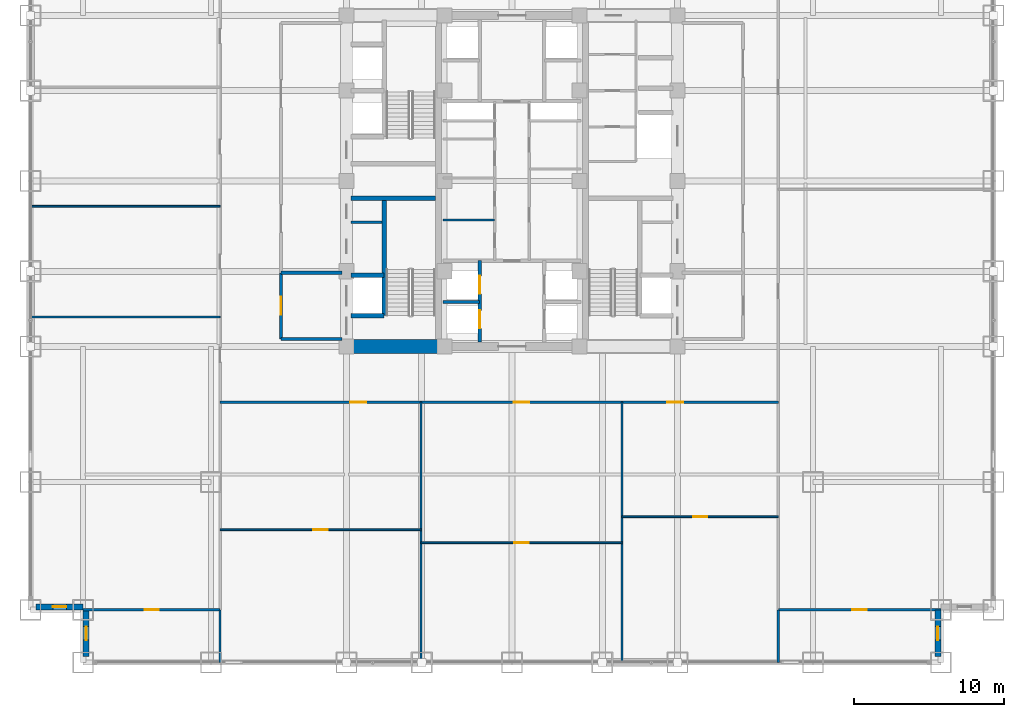
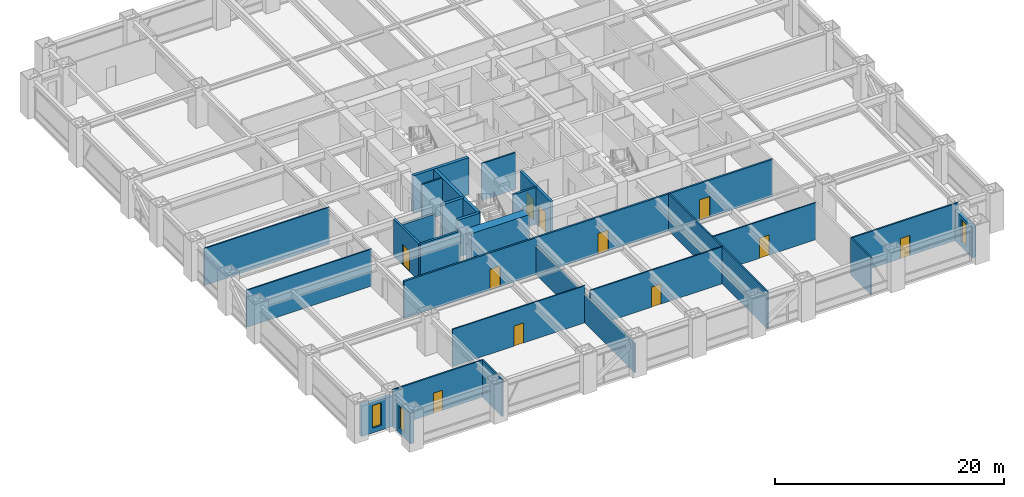
# One storey, part 23 of 28: 27 walls, 11 doors, 3 windows, 14 openings.
"""IFC4 building model written with IfcOpenShell, lengths in metres."""

from ifc_helpers import new_model, si_unit, direction, frame, frame_2d, origin, place, context, subcontext, project, spatial, rectangle, extrude, source, transform, mapped, material, layer, layer_set, type_object, element, fill, save


model = new_model("IFC4")

# Units and contexts
model_context = context("Model", 3, precision=1e-05, world=origin(), true_north=direction((0.0, 1.0)))
body_context = subcontext(model_context, "Body", "Model", "MODEL_VIEW")
ifc_project = project(units=[si_unit("LENGTHUNIT", "METRE"), si_unit("AREAUNIT", "SQUARE_METRE"), si_unit("VOLUMEUNIT", "CUBIC_METRE"), si_unit("PLANEANGLEUNIT", "RADIAN"), si_unit("MASSUNIT", "GRAM", prefix="KILO")], contexts=[model_context])

# Site, building, storey
site_placement = place(None, origin())
site = spatial("IfcSite", under=ifc_project, at=site_placement, CompositionType="ELEMENT")
building_placement = place(site_placement, origin())
building = spatial("IfcBuilding", under=site, at=building_placement, Name="Khorayat Bourse Tower", CompositionType="ELEMENT")
storey_placement = place(building_placement, frame((0.0, 0.0, 62.0)))
storey = spatial("IfcBuildingStorey", under=building, at=storey_placement, Name="L13", CompositionType="ELEMENT", Elevation=62.0)

# Walls
ifc_material_1 = material(Name="Concrete C72/90", Category="concrete")
ifc_layer_1 = layer(ifc_material_1, 0.89990234375)
ifc_layer_set_1 = layer_set([ifc_layer_1], Name="Concrete C72/90")
wall_type_1 = type_object("IfcWallType", Name="WAL-CORE-900", PredefinedType="SHEAR", material=ifc_layer_set_1)
shared_shape_1 = source(origin(), body_context, "Body", "SweptSolid", [
    extrude(rectangle(XDim=5.849853515625, YDim=0.89990234375, at=frame_2d((2.9248046875, 0.0))), origin(), (0.0, 0.0, 1.0), 3.93994140625),
])
wall_1_placement = place(storey_placement, frame((-10.699951171875, -11.0, 0.0), z_axis=(0.0, 0.0, 1.0), x_axis=(1.0, 0.0, 0.0)))
element("IfcWall", 1, at=wall_1_placement, inside=storey, type_object=wall_type_1, Name="L13 Core Shear Wall PIER-WS", PredefinedType="SHEAR", context=body_context, shape_type="MappedRepresentation", body=[
    mapped(shared_shape_1, transform((0.0, 0.0, 0.0), scale=1.0)),
])
ifc_material_2 = material(Name="Concrete C50/60", Category="concrete")
ifc_layer_2 = layer(ifc_material_2, 0.300048828125)
ifc_layer_set_2 = layer_set([ifc_layer_2], Name="Concrete C50/60")
wall_type_2 = type_object("IfcWallType", Name="WAL-SHAFT-300", PredefinedType="SHEAR", material=ifc_layer_set_2)
shared_shape_2 = source(origin(), body_context, "Body", "SweptSolid", [
    extrude(rectangle(XDim=5.599853515625, YDim=0.300048828125, at=frame_2d((2.7998046875, 0.0))), origin(), (0.0, 0.0, 1.0), 3.93994140625),
])
wall_2_placement = place(storey_placement, frame((-10.699951171875, -1.14990234375, 0.0), z_axis=(0.0, 0.0, 1.0), x_axis=(1.0, 0.0, 0.0)))
element("IfcWall", 2, at=wall_2_placement, inside=storey, type_object=wall_type_2, Name="L13 Core Shear Wall ST1-DIV", PredefinedType="SHEAR", context=body_context, shape_type="MappedRepresentation", body=[
    mapped(shared_shape_2, transform((0.0, 0.0, 0.0), scale=1.0)),
])

# Wall, opening, window
ifc_material_3 = material(Name="Precast concrete C45/55", Category="concrete")
ifc_layer_3 = layer(ifc_material_3, 0.3798828125)
ifc_layer_set_3 = layer_set([ifc_layer_3], Name="Precast concrete C45/55")
wall_type_3 = type_object("IfcWallType", Name="WAL-EXT-STONE-380", PredefinedType="STANDARD", material=ifc_layer_set_3)
shared_shape_3 = source(origin(), body_context, "Body", "SweptSolid", [
    extrude(rectangle(XDim=3.1201171875, YDim=0.3798828125, at=frame_2d((1.56005859375, 0.0))), origin(), (0.0, 0.0, 1.0), 3.2451171875),
])
wall_3_placement = place(storey_placement, frame((-28.5, -28.31005859375, 0.0), z_axis=(0.0, 0.0, 1.0), x_axis=(-1.0, 0.0, 0.0)))
wall_3 = element("IfcWall", 3, at=wall_3_placement, inside=storey, type_object=wall_type_3, Name="L13 Re-Entrant Notch Limestone Wall SW-H", PredefinedType="STANDARD", context=body_context, shape_type="MappedRepresentation", body=[
    mapped(shared_shape_3, transform((0.0, 0.0, 0.0), scale=1.0)),
])
shared_shape_4 = source(origin(), body_context, "Body", "SweptSolid", [
    extrude(rectangle(XDim=0.89990234375, YDim=2.39990234375, at=frame_2d((0.449951171875, 1.199951171875))), frame((0.0, 0.199951171875, 0.0), z_axis=(0.0, -1.0, 0.0), x_axis=(1.0, 0.0, 0.0)), (0.0, 0.0, 1.0), 0.39990234375),
])
opening_1_placement = place(wall_3_placement, frame((1.110107421875, 0.0, 0.5)))
opening_1 = element("IfcOpeningElement", 4, at=opening_1_placement, cuts=wall_3, Name="Opening WN-03", PredefinedType="OPENING", context=body_context, shape_type="MappedRepresentation", body=[
    mapped(shared_shape_4, transform((0.0, 0.0, 0.0), scale=1.0)),
])
ifc_material_4 = material(Name="Deep-reveal solar-control double glazing", Category="glass")
window_type = type_object("IfcWindowType", Name="WIN-SLOT-900x2400", PartitioningType="SINGLE_PANEL", PredefinedType="WINDOW", material=ifc_material_4)
shared_shape_5 = source(origin(), body_context, "Body", "SweptSolid", [
    extrude(rectangle(XDim=0.89990234375, YDim=2.39990234375, at=frame_2d((0.449951171875, 1.199951171875))), frame((0.0, 0.030029296875, 0.0), z_axis=(0.0, -1.0, 0.0), x_axis=(1.0, 0.0, 0.0)), (0.0, 0.0, 1.0), 0.06005859375),
])
window_1_placement = place(opening_1_placement, origin())
window_1 = element("IfcWindow", 5, at=window_1_placement, inside=storey, type_object=window_type, Name="L13 Facade Window 1", OverallHeight=2.39990234375, OverallWidth=0.89990234375, PartitioningType="SINGLE_PANEL", PredefinedType="WINDOW", context=body_context, shape_type="MappedRepresentation", body=[
    mapped(shared_shape_5, transform((0.0, 0.0, 0.0), scale=1.0)),
])
fill(opening_1, window_1)

wall_4_placement = place(storey_placement, frame((-28.31005859375, -31.6201171875, 0.0), z_axis=(0.0, 0.0, 1.0), x_axis=(0.0, 1.0, 0.0)))
wall_4 = element("IfcWall", 6, at=wall_4_placement, inside=storey, type_object=wall_type_3, Name="L13 Re-Entrant Notch Limestone Wall SW-V", PredefinedType="STANDARD", context=body_context, shape_type="MappedRepresentation", body=[
    mapped(shared_shape_3, transform((0.0, 0.0, 0.0), scale=1.0)),
])
opening_2_placement = place(wall_4_placement, frame((1.110107421875, 0.0, 0.5)))
opening_2 = element("IfcOpeningElement", 7, at=opening_2_placement, cuts=wall_4, Name="Opening WN-03", PredefinedType="OPENING", context=body_context, shape_type="MappedRepresentation", body=[
    mapped(shared_shape_4, transform((0.0, 0.0, 0.0), scale=1.0)),
])
window_2_placement = place(opening_2_placement, origin())
window_2 = element("IfcWindow", 8, at=window_2_placement, inside=storey, type_object=window_type, Name="L13 Facade Window 1", OverallHeight=2.39990234375, OverallWidth=0.89990234375, PartitioningType="SINGLE_PANEL", PredefinedType="WINDOW", context=body_context, shape_type="MappedRepresentation", body=[
    mapped(shared_shape_5, transform((0.0, 0.0, 0.0), scale=1.0)),
])
fill(opening_2, window_2)

wall_5_placement = place(storey_placement, frame((28.31005859375, -31.6201171875, 0.0), z_axis=(0.0, 0.0, 1.0), x_axis=(0.0, 1.0, 0.0)))
wall_5 = element("IfcWall", 9, at=wall_5_placement, inside=storey, type_object=wall_type_3, Name="L13 Re-Entrant Notch Limestone Wall SE-V", PredefinedType="STANDARD", context=body_context, shape_type="MappedRepresentation", body=[
    mapped(shared_shape_3, transform((0.0, 0.0, 0.0), scale=1.0)),
])
opening_3_placement = place(wall_5_placement, frame((1.110107421875, 0.0, 0.5)))
opening_3 = element("IfcOpeningElement", 10, at=opening_3_placement, cuts=wall_5, Name="Opening WN-03", PredefinedType="OPENING", context=body_context, shape_type="MappedRepresentation", body=[
    mapped(shared_shape_4, transform((0.0, 0.0, 0.0), scale=1.0)),
])
window_3_placement = place(opening_3_placement, origin())
window_3 = element("IfcWindow", 11, at=window_3_placement, inside=storey, type_object=window_type, Name="L13 Facade Window 1", OverallHeight=2.39990234375, OverallWidth=0.89990234375, PartitioningType="SINGLE_PANEL", PredefinedType="WINDOW", context=body_context, shape_type="MappedRepresentation", body=[
    mapped(shared_shape_5, transform((0.0, 0.0, 0.0), scale=1.0)),
])
fill(opening_3, window_3)

# Walls
shared_shape_6 = source(origin(), body_context, "Body", "SweptSolid", [
    extrude(rectangle(XDim=7.800048828125, YDim=0.300048828125, at=frame_2d((3.89990234375, 0.0))), origin(), (0.0, 0.0, 1.0), 3.93994140625),
])
wall_6_placement = place(storey_placement, frame((-8.5, -8.949951171875, 0.0), z_axis=(0.0, 0.0, 1.0), x_axis=(0.0, 1.0, 0.0)))
element("IfcWall", 12, at=wall_6_placement, inside=storey, type_object=wall_type_2, Name="L13 Partition WAL-L13-WPIER-SP", PredefinedType="SHEAR", context=body_context, shape_type="MappedRepresentation", body=[
    mapped(shared_shape_6, transform((0.0, 0.0, 0.0), scale=1.0)),
])
shared_shape_7 = source(origin(), body_context, "Body", "SweptSolid", [
    extrude(rectangle(XDim=2.199951171875, YDim=0.300048828125, at=frame_2d((1.10009765625, 0.0))), origin(), (0.0, 0.0, 1.0), 3.93994140625),
])
for number, where, z_axis, x_axis, name in (
    (13, (-10.699951171875, -8.949951171875, 0.0), (0.0, 0.0, 1.0), (1.0, 0.0, 0.0), "L13 Partition WAL-L13-WPIER-FF1S"),
    (14, (-10.699951171875, -6.25, 0.0), (0.0, 0.0, 1.0), (1.0, 0.0, 0.0), "L13 Partition WAL-L13-WPIER-FF1N"),
):
    element("IfcWall", number, at=place(storey_placement, frame(where, z_axis=z_axis, x_axis=x_axis)), inside=storey, type_object=wall_type_2, Name=name, PredefinedType="SHEAR", context=body_context, shape_type="MappedRepresentation", body=[
        mapped(shared_shape_7, transform((0.0, 0.0, 0.0), scale=1.0)),
    ])
ifc_material_5 = material(Name="Gypsum plasterboard twin-frame partition")
ifc_layer_4 = layer(ifc_material_5, 0.14990234375)
ifc_layer_set_4 = layer_set([ifc_layer_4], Name="Gypsum plasterboard twin-frame partition")
wall_type_4 = type_object("IfcWallType", Name="WAL-PART-SUITE-150", PredefinedType="PARTITIONING", material=ifc_layer_set_4)
shared_shape_8 = source(origin(), body_context, "Body", "SweptSolid", [
    extrude(rectangle(XDim=2.050048828125, YDim=0.14990234375, at=frame_2d((1.02490234375, 0.0))), origin(), (0.0, 0.0, 1.0), 3.93994140625),
])
wall_7_placement = place(storey_placement, frame((-10.699951171875, -2.75, 0.0), z_axis=(0.0, 0.0, 1.0), x_axis=(1.0, 0.0, 0.0)))
element("IfcWall", 15, at=wall_7_placement, inside=storey, type_object=wall_type_4, Name="L13 Partition WAL-L13-WSRV-D1", PredefinedType="PARTITIONING", context=body_context, shape_type="MappedRepresentation", body=[
    mapped(shared_shape_8, transform((0.0, 0.0, 0.0), scale=1.0)),
])
ifc_material_6 = material(Name="Aerated concrete blockwork", Category="masonry")
ifc_layer_5 = layer(ifc_material_6, 0.219970703125)
ifc_layer_set_5 = layer_set([ifc_layer_5], Name="Aerated concrete blockwork")
wall_type_5 = type_object("IfcWallType", Name="WAL-PART-FF-220", PredefinedType="PARTITIONING", material=ifc_layer_set_5)
shared_shape_9 = source(origin(), body_context, "Body", "SweptSolid", [
    extrude(rectangle(XDim=4.050048828125, YDim=0.219970703125, at=frame_2d((2.02490234375, 0.0))), origin(), (0.0, 0.0, 1.0), 3.93994140625),
])
wall_8_placement = place(storey_placement, frame((-15.35009765625, -10.5, 0.0), z_axis=(0.0, 0.0, 1.0), x_axis=(1.0, 0.0, 0.0)))
element("IfcWall", 16, at=wall_8_placement, inside=storey, type_object=wall_type_5, Name="L13 Partition WAL-L13-FFLW-S", PredefinedType="PARTITIONING", context=body_context, shape_type="MappedRepresentation", body=[
    mapped(shared_shape_9, transform((0.0, 0.0, 0.0), scale=1.0)),
])
shared_shape_10 = source(origin(), body_context, "Body", "SweptSolid", [
    extrude(rectangle(XDim=4.050048828125, YDim=0.219970703125, at=frame_2d((2.02490234375, 0.0))), origin(), (0.0, 0.0, 1.0), 3.0849609375),
])
wall_9_placement = place(storey_placement, frame((-15.35009765625, -6.10009765625, 0.0), z_axis=(0.0, 0.0, 1.0), x_axis=(1.0, 0.0, 0.0)))
element("IfcWall", 17, at=wall_9_placement, inside=storey, type_object=wall_type_5, Name="L13 Partition WAL-L13-FFLW-N", PredefinedType="PARTITIONING", context=body_context, shape_type="MappedRepresentation", body=[
    mapped(shared_shape_10, transform((0.0, 0.0, 0.0), scale=1.0)),
])

# Wall, opening, door
shared_shape_11 = source(origin(), body_context, "Body", "SweptSolid", [
    extrude(rectangle(XDim=4.39990234375, YDim=0.219970703125, at=frame_2d((2.199951171875, 0.0))), origin(), (0.0, 0.0, 1.0), 3.93994140625),
])
wall_10_placement = place(storey_placement, frame((-15.35009765625, -10.5, 0.0), z_axis=(0.0, 0.0, 1.0), x_axis=(0.0, 1.0, 0.0)))
wall_10 = element("IfcWall", 18, at=wall_10_placement, inside=storey, type_object=wall_type_5, Name="L13 Partition WAL-L13-FFLW-W", PredefinedType="PARTITIONING", context=body_context, shape_type="MappedRepresentation", body=[
    mapped(shared_shape_11, transform((0.0, 0.0, 0.0), scale=1.0)),
])
shared_shape_12 = source(origin(), body_context, "Body", "SweptSolid", [
    extrude(rectangle(XDim=1.199951171875, YDim=2.199951171875, at=frame_2d((0.60009765625, 1.10009765625))), frame((0.0, 0.119873046875, 0.0), z_axis=(0.0, -1.0, 0.0), x_axis=(1.0, 0.0, 0.0)), (0.0, 0.0, 1.0), 0.239990234375),
])
opening_4_placement = place(wall_10_placement, frame((1.60009765625, 0.0, 0.0)))
opening_4 = element("IfcOpeningElement", 19, at=opening_4_placement, cuts=wall_10, Name="Opening DI-02", PredefinedType="OPENING", context=body_context, shape_type="MappedRepresentation", body=[
    mapped(shared_shape_12, transform((0.0, 0.0, 0.0), scale=1.0)),
])
ifc_material_7 = material(Name="Fire-rated steel double-seal leaf", Category="steel")
door_type_1 = type_object("IfcDoorType", Name="DR-INT-FFLOBBY-1200", OperationType="NOTDEFINED", PredefinedType="DOOR", material=ifc_material_7)
shared_shape_13 = source(origin(), body_context, "Body", "SweptSolid", [
    extrude(rectangle(XDim=1.199951171875, YDim=2.199951171875, at=frame_2d((0.60009765625, 1.10009765625))), frame((0.0, 0.02490234375, 0.0), z_axis=(0.0, -1.0, 0.0), x_axis=(1.0, 0.0, 0.0)), (0.0, 0.0, 1.0), 0.050048828125),
])
door_1_placement = place(opening_4_placement, origin())
door_1 = element("IfcDoor", 20, at=door_1_placement, inside=storey, type_object=door_type_1, Name="L13 West Firefighting Lobby Door", OperationType="SINGLE_SWING_LEFT", OverallHeight=2.199951171875, OverallWidth=1.199951171875, PredefinedType="DOOR", context=body_context, shape_type="MappedRepresentation", body=[
    mapped(shared_shape_13, transform((0.0, 0.0, 0.0), scale=1.0)),
])
fill(opening_4, door_1)

# Wall, openings, doors
shared_shape_14 = source(origin(), body_context, "Body", "SweptSolid", [
    extrude(rectangle(XDim=5.39990234375, YDim=0.25, at=frame_2d((2.699951171875, 0.0))), origin(), (0.0, 0.0, 1.0), 3.93994140625),
])
wall_11_placement = place(storey_placement, frame((-2.14990234375, -10.699951171875, 0.0), z_axis=(0.0, 0.0, 1.0), x_axis=(0.0, 1.0, 0.0)))
wall_11 = element("IfcWall", 21, at=wall_11_placement, inside=storey, type_object=wall_type_2, Name="L13 Partition WAL-L13-B1-W", PredefinedType="SHEAR", context=body_context, shape_type="MappedRepresentation", body=[
    mapped(shared_shape_14, transform((0.0, 0.0, 0.0), scale=1.0)),
])
shared_shape_15 = source(origin(), body_context, "Body", "SweptSolid", [
    extrude(rectangle(XDim=1.199951171875, YDim=2.300048828125, at=frame_2d((0.60009765625, 1.14990234375))), frame((0.0, 0.135009765625, 0.0), z_axis=(0.0, -1.0, 0.0), x_axis=(1.0, 0.0, 0.0)), (0.0, 0.0, 1.0), 0.27001953125),
])
opening_5_placement = place(wall_11_placement, frame((0.89990234375, 0.0, 0.0)))
opening_5 = element("IfcOpeningElement", 22, at=opening_5_placement, cuts=wall_11, Name="Opening LD-01", PredefinedType="OPENING", context=body_context, shape_type="MappedRepresentation", body=[
    mapped(shared_shape_15, transform((0.0, 0.0, 0.0), scale=1.0)),
])
opening_6_placement = place(wall_11_placement, frame((3.199951171875, 0.0, 0.0)))
opening_6 = element("IfcOpeningElement", 23, at=opening_6_placement, cuts=wall_11, Name="Opening LD-01", PredefinedType="OPENING", context=body_context, shape_type="MappedRepresentation", body=[
    mapped(shared_shape_15, transform((0.0, 0.0, 0.0), scale=1.0)),
])
ifc_material_8 = material(Name="Brushed bronze stainless-steel sliding door", Category="steel")
door_type_2 = type_object("IfcDoorType", Name="DR-LIFT-PASS-1200", OperationType="NOTDEFINED", PredefinedType="DOOR", material=ifc_material_8)
shared_shape_16 = source(origin(), body_context, "Body", "SweptSolid", [
    extrude(rectangle(XDim=1.199951171875, YDim=2.300048828125, at=frame_2d((0.60009765625, 1.14990234375))), frame((0.0, 0.02490234375, 0.0), z_axis=(0.0, -1.0, 0.0), x_axis=(1.0, 0.0, 0.0)), (0.0, 0.0, 1.0), 0.050048828125),
])
door_2_placement = place(opening_5_placement, origin())
door_2 = element("IfcDoor", 24, at=door_2_placement, inside=storey, type_object=door_type_2, Name="L13 Lift PL-L1 Sliding Landing Door", OperationType="SLIDING_TO_LEFT", OverallHeight=2.300048828125, OverallWidth=1.199951171875, PredefinedType="DOOR", context=body_context, shape_type="MappedRepresentation", body=[
    mapped(shared_shape_16, transform((0.0, 0.0, 0.0), scale=1.0)),
])
fill(opening_5, door_2)
door_3_placement = place(opening_6_placement, origin())
door_3 = element("IfcDoor", 25, at=door_3_placement, inside=storey, type_object=door_type_2, Name="L13 Lift PL-L3 Sliding Landing Door", OperationType="SLIDING_TO_LEFT", OverallHeight=2.300048828125, OverallWidth=1.199951171875, PredefinedType="DOOR", context=body_context, shape_type="MappedRepresentation", body=[
    mapped(shared_shape_16, transform((0.0, 0.0, 0.0), scale=1.0)),
])
fill(opening_6, door_3)

# Walls
shared_shape_17 = source(origin(), body_context, "Body", "SweptSolid", [
    extrude(rectangle(XDim=2.4501953125, YDim=0.199951171875, at=frame_2d((1.22509765625, 0.0))), origin(), (0.0, 0.0, 1.0), 3.93994140625),
])
wall_12_placement = place(storey_placement, frame((-4.60009765625, -8.050048828125, 0.0), z_axis=(0.0, 0.0, 1.0), x_axis=(1.0, 0.0, 0.0)))
element("IfcWall", 26, at=wall_12_placement, inside=storey, type_object=wall_type_2, Name="L13 Partition WAL-L13-B1-MW", PredefinedType="SHEAR", context=body_context, shape_type="MappedRepresentation", body=[
    mapped(shared_shape_17, transform((0.0, 0.0, 0.0), scale=1.0)),
])
ifc_material_9 = material(Name="Moisture-resistant masonry partition", Category="masonry")
ifc_layer_6 = layer(ifc_material_9, 0.139892578125)
ifc_layer_set_6 = layer_set([ifc_layer_6], Name="Moisture-resistant masonry partition")
wall_type_6 = type_object("IfcWallType", Name="WAL-PART-WET-140", PredefinedType="PARTITIONING", material=ifc_layer_set_6)
shared_shape_18 = source(origin(), body_context, "Body", "SweptSolid", [
    extrude(rectangle(XDim=3.4501953125, YDim=0.139892578125, at=frame_2d((1.72509765625, 0.0))), origin(), (0.0, 0.0, 1.0), 3.93994140625),
])
wall_13_placement = place(storey_placement, frame((-4.60009765625, -2.60009765625, 0.0), z_axis=(0.0, 0.0, 1.0), x_axis=(1.0, 0.0, 0.0)))
element("IfcWall", 27, at=wall_13_placement, inside=storey, type_object=wall_type_6, Name="L13 Partition WAL-L13-CMW-D1", PredefinedType="PARTITIONING", context=body_context, shape_type="MappedRepresentation", body=[
    mapped(shared_shape_18, transform((0.0, 0.0, 0.0), scale=1.0)),
])
shared_shape_19 = source(origin(), body_context, "Body", "SweptSolid", [
    extrude(rectangle(XDim=3.5, YDim=0.14990234375, at=frame_2d((1.75, 0.0))), origin(), (0.0, 0.0, 1.0), 3.93994140625),
])
for number, where, z_axis, x_axis, name in (
    (28, (-19.39990234375, -32.0, 0.0), (0.0, 0.0, 1.0), (0.0, 1.0, 0.0), "L13 Partition WAL-L13-SCW-END"),
    (29, (17.699951171875, -32.0, 0.0), (0.0, 0.0, 1.0), (0.0, 1.0, 0.0), "L13 Partition WAL-L13-SCE-END"),
):
    element("IfcWall", number, at=place(storey_placement, frame(where, z_axis=z_axis, x_axis=x_axis)), inside=storey, type_object=wall_type_4, Name=name, PredefinedType="PARTITIONING", context=body_context, shape_type="MappedRepresentation", body=[
        mapped(shared_shape_19, transform((0.0, 0.0, 0.0), scale=1.0)),
    ])

# Wall, opening, door
shared_shape_20 = source(origin(), body_context, "Body", "SweptSolid", [
    extrude(rectangle(XDim=10.800048828125, YDim=0.14990234375, at=frame_2d((5.39990234375, 0.0))), origin(), (0.0, 0.0, 1.0), 3.93994140625),
])
wall_14_placement = place(storey_placement, frame((17.699951171875, -28.5, 0.0), z_axis=(0.0, 0.0, 1.0), x_axis=(1.0, 0.0, 0.0)))
wall_14 = element("IfcWall", 30, at=wall_14_placement, inside=storey, type_object=wall_type_4, Name="L13 Partition WAL-L13-CSE", PredefinedType="PARTITIONING", context=body_context, shape_type="MappedRepresentation", body=[
    mapped(shared_shape_20, transform((0.0, 0.0, 0.0), scale=1.0)),
])
shared_shape_21 = source(origin(), body_context, "Body", "SweptSolid", [
    extrude(rectangle(XDim=0.949951171875, YDim=2.14990234375, at=frame_2d((0.47509765625, 1.074951171875))), frame((0.0, 0.0849609375, 0.0), z_axis=(0.0, -1.0, 0.0), x_axis=(1.0, 0.0, 0.0)), (0.0, 0.0, 1.0), 0.169921875),
])
opening_7_placement = place(wall_14_placement, frame((4.925048828125, 0.0, 0.0)))
opening_7 = element("IfcOpeningElement", 31, at=opening_7_placement, cuts=wall_14, Name="Opening DI-05", PredefinedType="OPENING", context=body_context, shape_type="MappedRepresentation", body=[
    mapped(shared_shape_21, transform((0.0, 0.0, 0.0), scale=1.0)),
])
ifc_material_10 = material(Name="Acoustic oak veneer office door")
door_type_3 = type_object("IfcDoorType", Name="DR-INT-OFFICE-950", OperationType="NOTDEFINED", PredefinedType="DOOR", material=ifc_material_10)
shared_shape_22 = source(origin(), body_context, "Body", "SweptSolid", [
    extrude(rectangle(XDim=0.949951171875, YDim=2.14990234375, at=frame_2d((0.47509765625, 1.074951171875))), frame((0.0, 0.02490234375, 0.0), z_axis=(0.0, -1.0, 0.0), x_axis=(1.0, 0.0, 0.0)), (0.0, 0.0, 1.0), 0.050048828125),
])
door_4_placement = place(opening_7_placement, origin())
door_4 = element("IfcDoor", 32, at=door_4_placement, inside=storey, type_object=door_type_3, Name="L13 South-East Corner Briefing Room Door", OperationType="SINGLE_SWING_LEFT", OverallHeight=2.14990234375, OverallWidth=0.949951171875, PredefinedType="DOOR", context=body_context, shape_type="MappedRepresentation", body=[
    mapped(shared_shape_22, transform((0.0, 0.0, 0.0), scale=1.0)),
])
fill(opening_7, door_4)

shared_shape_23 = source(origin(), body_context, "Body", "SweptSolid", [
    extrude(rectangle(XDim=9.10009765625, YDim=0.14990234375, at=frame_2d((4.550048828125, 0.0))), origin(), (0.0, 0.0, 1.0), 3.93994140625),
])
wall_15_placement = place(storey_placement, frame((-28.5, -28.5, 0.0), z_axis=(0.0, 0.0, 1.0), x_axis=(1.0, 0.0, 0.0)))
wall_15 = element("IfcWall", 33, at=wall_15_placement, inside=storey, type_object=wall_type_4, Name="L13 Partition WAL-L13-CSW", PredefinedType="PARTITIONING", context=body_context, shape_type="MappedRepresentation", body=[
    mapped(shared_shape_23, transform((0.0, 0.0, 0.0), scale=1.0)),
])
opening_8_placement = place(wall_15_placement, frame((4.074951171875, 0.0, 0.0)))
opening_8 = element("IfcOpeningElement", 34, at=opening_8_placement, cuts=wall_15, Name="Opening DI-05", PredefinedType="OPENING", context=body_context, shape_type="MappedRepresentation", body=[
    mapped(shared_shape_21, transform((0.0, 0.0, 0.0), scale=1.0)),
])
door_5_placement = place(opening_8_placement, origin())
door_5 = element("IfcDoor", 35, at=door_5_placement, inside=storey, type_object=door_type_3, Name="L13 South-West Corner Office Door", OperationType="SINGLE_SWING_LEFT", OverallHeight=2.14990234375, OverallWidth=0.949951171875, PredefinedType="DOOR", context=body_context, shape_type="MappedRepresentation", body=[
    mapped(shared_shape_22, transform((0.0, 0.0, 0.0), scale=1.0)),
])
fill(opening_8, door_5)

ifc_material_11 = material(Name="Gypsum plasterboard partition")
ifc_layer_7 = layer(ifc_material_11, 0.125)
ifc_layer_set_7 = layer_set([ifc_layer_7], Name="Gypsum plasterboard partition")
wall_type_7 = type_object("IfcWallType", Name="WAL-PART-ROOM-125", PredefinedType="PARTITIONING", material=ifc_layer_set_7)
shared_shape_24 = source(origin(), body_context, "Body", "SweptSolid", [
    extrude(rectangle(XDim=13.35595703125, YDim=0.125, at=frame_2d((6.677978515625, 0.0))), origin(), (0.0, 0.0, 1.0), 3.93994140625),
])
wall_16_placement = place(storey_placement, frame((-19.39990234375, -23.177001953125, 0.0), z_axis=(0.0, 0.0, 1.0), x_axis=(1.0, 0.0, 0.0)))
wall_16 = element("IfcWall", 36, at=wall_16_placement, inside=storey, type_object=wall_type_7, Name="L13 Partition WAL-L13-SDP-1", PredefinedType="PARTITIONING", context=body_context, shape_type="MappedRepresentation", body=[
    mapped(shared_shape_24, transform((0.0, 0.0, 0.0), scale=1.0)),
])
shared_shape_25 = source(origin(), body_context, "Body", "SweptSolid", [
    extrude(rectangle(XDim=0.949951171875, YDim=2.14990234375, at=frame_2d((0.47509765625, 1.074951171875))), frame((0.0, 0.072509765625, 0.0), z_axis=(0.0, -1.0, 0.0), x_axis=(1.0, 0.0, 0.0)), (0.0, 0.0, 1.0), 0.14501953125),
])
opening_9_placement = place(wall_16_placement, frame((6.202880859375, 0.0, 0.0)))
opening_9 = element("IfcOpeningElement", 37, at=opening_9_placement, cuts=wall_16, Name="Opening DI-05", PredefinedType="OPENING", context=body_context, shape_type="MappedRepresentation", body=[
    mapped(shared_shape_25, transform((0.0, 0.0, 0.0), scale=1.0)),
])
door_6_placement = place(opening_9_placement, origin())
door_6 = element("IfcDoor", 38, at=door_6_placement, inside=storey, type_object=door_type_3, Name="L13 Members Dining Room S1B Door", OperationType="SINGLE_SWING_RIGHT", OverallHeight=2.14990234375, OverallWidth=0.949951171875, PredefinedType="DOOR", context=body_context, shape_type="MappedRepresentation", body=[
    mapped(shared_shape_22, transform((0.0, 0.0, 0.0), scale=1.0)),
])
fill(opening_9, door_6)

wall_17_placement = place(storey_placement, frame((-6.0439453125, -24.0419921875, 0.0), z_axis=(0.0, 0.0, 1.0), x_axis=(1.0, 0.0, 0.0)))
wall_17 = element("IfcWall", 39, at=wall_17_placement, inside=storey, type_object=wall_type_7, Name="L13 Partition WAL-L13-SDP-2", PredefinedType="PARTITIONING", context=body_context, shape_type="MappedRepresentation", body=[
    mapped(shared_shape_24, transform((0.0, 0.0, 0.0), scale=1.0)),
])
opening_10_placement = place(wall_17_placement, frame((6.202880859375, 0.0, 0.0)))
opening_10 = element("IfcOpeningElement", 40, at=opening_10_placement, cuts=wall_17, Name="Opening DI-05", PredefinedType="OPENING", context=body_context, shape_type="MappedRepresentation", body=[
    mapped(shared_shape_25, transform((0.0, 0.0, 0.0), scale=1.0)),
])
door_7_placement = place(opening_10_placement, origin())
door_7 = element("IfcDoor", 41, at=door_7_placement, inside=storey, type_object=door_type_3, Name="L13 Members Club Room S2B Door", OperationType="SINGLE_SWING_LEFT", OverallHeight=2.14990234375, OverallWidth=0.949951171875, PredefinedType="DOOR", context=body_context, shape_type="MappedRepresentation", body=[
    mapped(shared_shape_22, transform((0.0, 0.0, 0.0), scale=1.0)),
])
fill(opening_10, door_7)

# Walls
shared_shape_26 = source(origin(), body_context, "Body", "SweptSolid", [
    extrude(rectangle(XDim=17.300048828125, YDim=0.14990234375, at=frame_2d((8.64990234375, 0.0))), origin(), (0.0, 0.0, 1.0), 3.0849609375),
])
wall_18_placement = place(storey_placement, frame((-6.0439453125, -32.0, 0.0), z_axis=(0.0, 0.0, 1.0), x_axis=(0.0, 1.0, 0.0)))
element("IfcWall", 42, at=wall_18_placement, inside=storey, type_object=wall_type_4, Name="L13 Partition WAL-L13-SDV-1", PredefinedType="PARTITIONING", context=body_context, shape_type="MappedRepresentation", body=[
    mapped(shared_shape_26, transform((0.0, 0.0, 0.0), scale=1.0)),
])
shared_shape_27 = source(origin(), body_context, "Body", "SweptSolid", [
    extrude(rectangle(XDim=17.300048828125, YDim=0.14990234375, at=frame_2d((8.64990234375, 0.0))), origin(), (0.0, 0.0, 1.0), 3.93994140625),
])
wall_19_placement = place(storey_placement, frame((7.31201171875, -32.0, 0.0), z_axis=(0.0, 0.0, 1.0), x_axis=(0.0, 1.0, 0.0)))
element("IfcWall", 43, at=wall_19_placement, inside=storey, type_object=wall_type_4, Name="L13 Partition WAL-L13-SDV-2", PredefinedType="PARTITIONING", context=body_context, shape_type="MappedRepresentation", body=[
    mapped(shared_shape_27, transform((0.0, 0.0, 0.0), scale=1.0)),
])

# Wall, opening, door
shared_shape_28 = source(origin(), body_context, "Body", "SweptSolid", [
    extrude(rectangle(XDim=10.387939453125, YDim=0.125, at=frame_2d((5.19384765625, 0.0))), origin(), (0.0, 0.0, 1.0), 3.93994140625),
])
wall_20_placement = place(storey_placement, frame((7.31201171875, -22.31201171875, 0.0), z_axis=(0.0, 0.0, 1.0), x_axis=(1.0, 0.0, 0.0)))
wall_20 = element("IfcWall", 44, at=wall_20_placement, inside=storey, type_object=wall_type_7, Name="L13 Partition WAL-L13-SDP-3", PredefinedType="PARTITIONING", context=body_context, shape_type="MappedRepresentation", body=[
    mapped(shared_shape_28, transform((0.0, 0.0, 0.0), scale=1.0)),
])
opening_11_placement = place(wall_20_placement, frame((4.718994140625, 0.0, 0.0)))
opening_11 = element("IfcOpeningElement", 45, at=opening_11_placement, cuts=wall_20, Name="Opening DI-05", PredefinedType="OPENING", context=body_context, shape_type="MappedRepresentation", body=[
    mapped(shared_shape_25, transform((0.0, 0.0, 0.0), scale=1.0)),
])
door_8_placement = place(opening_11_placement, origin())
door_8 = element("IfcDoor", 46, at=door_8_placement, inside=storey, type_object=door_type_3, Name="L13 Issuer Listing Showroom S3B Door", OperationType="SINGLE_SWING_RIGHT", OverallHeight=2.14990234375, OverallWidth=0.949951171875, PredefinedType="DOOR", context=body_context, shape_type="MappedRepresentation", body=[
    mapped(shared_shape_22, transform((0.0, 0.0, 0.0), scale=1.0)),
])
fill(opening_11, door_8)

# Wall, openings, doors
ifc_material_12 = material(Name="Gypsum plasterboard acoustic stud wall")
ifc_layer_8 = layer(ifc_material_12, 0.179931640625)
ifc_layer_set_8 = layer_set([ifc_layer_8], Name="Gypsum plasterboard acoustic stud wall")
wall_type_8 = type_object("IfcWallType", Name="WAL-PART-CORR-180", PredefinedType="PARTITIONING", material=ifc_layer_set_8)
shared_shape_29 = source(origin(), body_context, "Body", "SweptSolid", [
    extrude(rectangle(XDim=37.099853515625, YDim=0.179931640625, at=frame_2d((18.5498046875, 0.0))), origin(), (0.0, 0.0, 1.0), 3.93994140625),
])
wall_21_placement = place(storey_placement, frame((-19.39990234375, -14.699951171875, 0.0), z_axis=(0.0, 0.0, 1.0), x_axis=(1.0, 0.0, 0.0)))
wall_21 = element("IfcWall", 47, at=wall_21_placement, inside=storey, type_object=wall_type_8, Name="L13 Partition WAL-L13-SCORR", PredefinedType="PARTITIONING", context=body_context, shape_type="MappedRepresentation", body=[
    mapped(shared_shape_29, transform((0.0, 0.0, 0.0), scale=1.0)),
])
shared_shape_30 = source(origin(), body_context, "Body", "SweptSolid", [
    extrude(rectangle(XDim=1.050048828125, YDim=2.199951171875, at=frame_2d((0.52490234375, 1.10009765625))), frame((0.0, 0.099853515625, 0.0), z_axis=(0.0, -1.0, 0.0), x_axis=(1.0, 0.0, 0.0)), (0.0, 0.0, 1.0), 0.199951171875),
])
opening_12_placement = place(wall_21_placement, frame((8.653076171875, 0.0, 0.0)))
opening_12 = element("IfcOpeningElement", 48, at=opening_12_placement, cuts=wall_21, Name="Opening DI-04", PredefinedType="OPENING", context=body_context, shape_type="MappedRepresentation", body=[
    mapped(shared_shape_30, transform((0.0, 0.0, 0.0), scale=1.0)),
])
opening_13_placement = place(wall_21_placement, frame((19.509033203125, 0.0, 0.0)))
opening_13 = element("IfcOpeningElement", 49, at=opening_13_placement, cuts=wall_21, Name="Opening DI-04", PredefinedType="OPENING", context=body_context, shape_type="MappedRepresentation", body=[
    mapped(shared_shape_30, transform((0.0, 0.0, 0.0), scale=1.0)),
])
opening_14_placement = place(wall_21_placement, frame((29.73095703125, 0.0, 0.0)))
opening_14 = element("IfcOpeningElement", 50, at=opening_14_placement, cuts=wall_21, Name="Opening DI-04", PredefinedType="OPENING", context=body_context, shape_type="MappedRepresentation", body=[
    mapped(shared_shape_30, transform((0.0, 0.0, 0.0), scale=1.0)),
])
ifc_material_13 = material(Name="Fire-rated oak veneer suite entrance door")
door_type_4 = type_object("IfcDoorType", Name="DR-INT-SUITE-1050", OperationType="NOTDEFINED", PredefinedType="DOOR", material=ifc_material_13)
shared_shape_31 = source(origin(), body_context, "Body", "SweptSolid", [
    extrude(rectangle(XDim=1.050048828125, YDim=2.199951171875, at=frame_2d((0.52490234375, 1.10009765625))), frame((0.0, 0.02490234375, 0.0), z_axis=(0.0, -1.0, 0.0), x_axis=(1.0, 0.0, 0.0)), (0.0, 0.0, 1.0), 0.050048828125),
])
door_9_placement = place(opening_12_placement, origin())
door_9 = element("IfcDoor", 51, at=door_9_placement, inside=storey, type_object=door_type_4, Name="L13 Members Exchange Lounge S1 Door", OperationType="SINGLE_SWING_RIGHT", OverallHeight=2.199951171875, OverallWidth=1.050048828125, PredefinedType="DOOR", context=body_context, shape_type="MappedRepresentation", body=[
    mapped(shared_shape_31, transform((0.0, 0.0, 0.0), scale=1.0)),
])
fill(opening_12, door_9)
door_10_placement = place(opening_13_placement, origin())
door_10 = element("IfcDoor", 52, at=door_10_placement, inside=storey, type_object=door_type_4, Name="L13 Quantitative Research Study S2 Door", OperationType="SINGLE_SWING_LEFT", OverallHeight=2.199951171875, OverallWidth=1.050048828125, PredefinedType="DOOR", context=body_context, shape_type="MappedRepresentation", body=[
    mapped(shared_shape_31, transform((0.0, 0.0, 0.0), scale=1.0)),
])
fill(opening_13, door_10)
door_11_placement = place(opening_14_placement, origin())
door_11 = element("IfcDoor", 53, at=door_11_placement, inside=storey, type_object=door_type_4, Name="L13 Executive Wellness Fitness Gym S3 Door", OperationType="SINGLE_SWING_RIGHT", OverallHeight=2.199951171875, OverallWidth=1.050048828125, PredefinedType="DOOR", context=body_context, shape_type="MappedRepresentation", body=[
    mapped(shared_shape_31, transform((0.0, 0.0, 0.0), scale=1.0)),
])
fill(opening_14, door_11)

# Walls
shared_shape_32 = source(origin(), body_context, "Body", "SweptSolid", [
    extrude(rectangle(XDim=12.60009765625, YDim=0.125, at=frame_2d((6.300048828125, 0.0))), origin(), (0.0, 0.0, 1.0), 3.93994140625),
])
for number, where, z_axis, x_axis, name in (
    (54, (-32.0, -9.0400390625, 0.0), (0.0, 0.0, 1.0), (1.0, 0.0, 0.0), "L13 Partition WAL-L13-WDV-1"),
    (55, (-32.0, -1.681884765625, 0.0), (0.0, 0.0, 1.0), (1.0, 0.0, 0.0), "L13 Partition WAL-L13-WDV-2"),
):
    element("IfcWall", number, at=place(storey_placement, frame(where, z_axis=z_axis, x_axis=x_axis)), inside=storey, type_object=wall_type_7, Name=name, PredefinedType="PARTITIONING", context=body_context, shape_type="MappedRepresentation", body=[
        mapped(shared_shape_32, transform((0.0, 0.0, 0.0), scale=1.0)),
    ])

save(model, "model.ifc")
